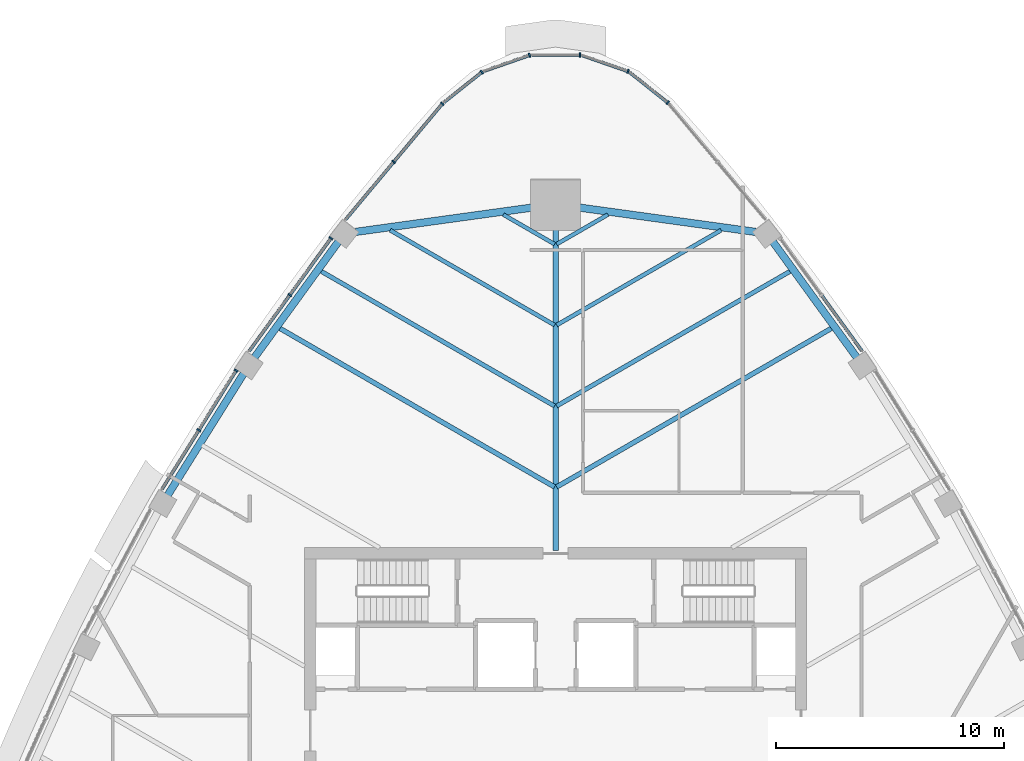
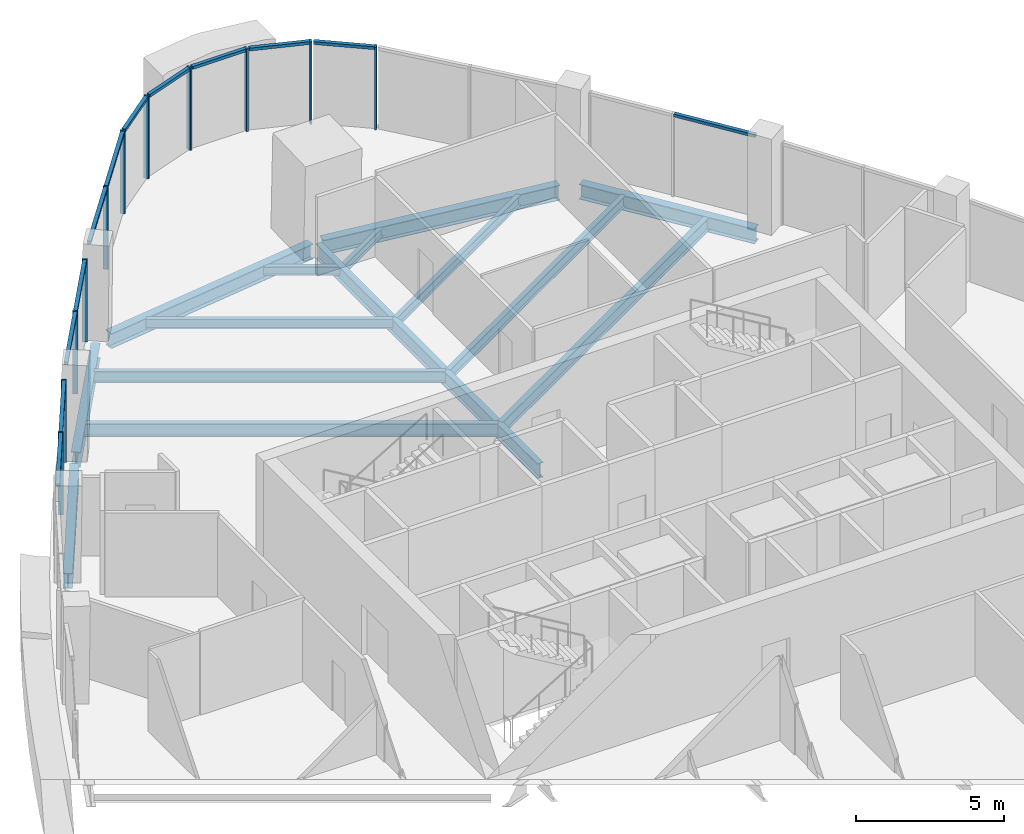
# One storey, part 5 of 15: 23 members, 14 beams, 9 elements without a shape of their own.
"""IFC4 building model written with IfcOpenShell, lengths in metres."""

import ifcopenshell
import ifcopenshell.guid

model = None  # the IFC model being written
_history = None  # IfcOwnerHistory: only IFC2X3 demands one
_inside = {}  # id of a spatial element -> (the spatial element, [elements in it])
_under = {}  # id of a project, library or spatial element -> (it, [spatial elements below it])
_declared = {}  # id of a project -> (the project, [libraries it declares])
_typed = {}  # id of a type object -> (the type object, [elements of that type])
_made_of = {}  # id of a material, layer set ... -> (it, [elements and type objects made of it])


def new_model(schema):
    """Start an empty IFC model of exactly this schema.

    Asked for "IFC4X3", IfcOpenShell would pick the latest addendum, in which some entities
    have other attributes; the version numbers below select the first issue.
    IFC2X3 requires an IfcOwnerHistory on every rooted entity: one is made here for all.
    """
    global model, _history
    if schema == "IFC4X3":
        model = ifcopenshell.file(schema_version=(4, 3, 0, 0))
    else:
        model = ifcopenshell.file(schema=schema)
    _inside.clear()
    _under.clear()
    _declared.clear()
    _typed.clear()
    _made_of.clear()
    _history = None
    if model.schema == "IFC2X3":
        org = make("IfcOrganization", Name="unknown")
        user = make(
            "IfcPersonAndOrganization",
            ThePerson=make("IfcPerson", FamilyName="unknown"),
            TheOrganization=org,
        )
        app = make(
            "IfcApplication",
            ApplicationDeveloper=org,
            Version="unknown",
            ApplicationFullName="unknown",
            ApplicationIdentifier="unknown",
        )
        _history = make(
            "IfcOwnerHistory",
            OwningUser=user,
            OwningApplication=app,
            ChangeAction="ADDED",
            CreationDate=0,
        )
    return model


def make(cls, **values):
    """One entity of the class cls with the attributes given. An attribute that is None is left unset."""
    return model.create_entity(
        cls, **{name: value for name, value in values.items() if value is not None}
    )


def rooted(cls, **values):
    """An entity with a GlobalId (a new one), such as an element, a storey or a relation."""
    return make(cls, GlobalId=ifcopenshell.guid.new(), OwnerHistory=_history, **values)


def si_unit(unit_type, name, prefix=None):
    """IfcSIUnit, for example si_unit("LENGTHUNIT", "METRE", prefix="MILLI")."""
    return make("IfcSIUnit", UnitType=unit_type, Prefix=prefix, Name=name)


def assignment(units):
    """IfcUnitAssignment: the units of a project."""
    return None if units is None else make("IfcUnitAssignment", Units=units)


def point(xyz):
    """IfcCartesianPoint."""
    return None if xyz is None else make("IfcCartesianPoint", Coordinates=xyz)


def direction(xyz):
    """IfcDirection."""
    return None if xyz is None else make("IfcDirection", DirectionRatios=xyz)


def frame(location, z_axis=None, x_axis=None):
    """IfcAxis2Placement3D, a coordinate frame: its origin and axes. An axis left out is left unset."""
    return make(
        "IfcAxis2Placement3D",
        Location=point(location),
        Axis=direction(z_axis),
        RefDirection=direction(x_axis),
    )


def frame_2d(location, x_axis=None):
    """IfcAxis2Placement2D, a coordinate frame in the plane: its origin and x axis."""
    return make(
        "IfcAxis2Placement2D", Location=point(location), RefDirection=direction(x_axis)
    )


def origin():
    """The frame at (0, 0, 0) with its axes left unset."""
    return frame((0.0, 0.0, 0.0))


def origin_2d():
    """The frame at (0, 0) in the plane with its x axis left unset."""
    return frame_2d((0.0, 0.0))


def place(relative_to, where):
    """IfcLocalPlacement: puts the frame where relative to a parent placement (None: the world)."""
    return make(
        "IfcLocalPlacement", PlacementRelTo=relative_to, RelativePlacement=where
    )


def context(
    kind, dimensions, precision=None, world=None, true_north=None, identifier=None
):
    """IfcGeometricRepresentationContext, for example the 3D "Model" context."""
    return make(
        "IfcGeometricRepresentationContext",
        ContextIdentifier=identifier,
        ContextType=kind,
        CoordinateSpaceDimension=dimensions,
        Precision=precision,
        WorldCoordinateSystem=world,
        TrueNorth=true_north,
    )


def subcontext(parent, identifier, kind, view, scale=None):
    """IfcGeometricRepresentationSubContext, for example "Body" below "Model"."""
    return make(
        "IfcGeometricRepresentationSubContext",
        ContextIdentifier=identifier,
        ContextType=kind,
        ParentContext=parent,
        TargetScale=scale,
        TargetView=view,
    )


def project(units=None, contexts=None):
    """IfcProject with its units and contexts."""
    return rooted(
        "IfcProject",
        Name="project",
        RepresentationContexts=contexts,
        UnitsInContext=assignment(units),
    )


def spatial(cls, under=None, at=None, **own):
    """A site, building, storey or space (cls), placed at a placement, below another one or the project."""
    s = rooted(cls, ObjectPlacement=at, **own)
    if under is not None:
        _under.setdefault(under.id(), (under, []))[1].append(s)
    return s


def profile(cls, at=None, kind="AREA", **sizes):
    """A parametric profile (cls). Its sizes go by their IFC names, for example OverallWidth=200.0."""
    return make(cls, ProfileType=kind, Position=at, **sizes)


def rectangle(**sizes):
    """IfcRectangleProfileDef."""
    return profile("IfcRectangleProfileDef", **sizes)


def i_section(**sizes):
    """IfcIShapeProfileDef."""
    return profile("IfcIShapeProfileDef", **sizes)


def extrude(swept, where, along, depth):
    """IfcExtrudedAreaSolid: the profile swept, set in the frame where, extruded along a direction by depth."""
    return make(
        "IfcExtrudedAreaSolid",
        SweptArea=swept,
        Position=where,
        ExtrudedDirection=direction(along),
        Depth=depth,
    )


def shape(context_of_items, identifier, shape_type, items):
    """IfcShapeRepresentation: the items that make up one representation, for example the "Body"."""
    return make(
        "IfcShapeRepresentation",
        ContextOfItems=context_of_items,
        RepresentationIdentifier=identifier,
        RepresentationType=shape_type,
        Items=items,
    )


def material(Name=None, Category=None):
    """IfcMaterial."""
    return make("IfcMaterial", Name=Name, Category=Category)


def layer(
    of_material, thickness, ventilated=None, Name=None, Category=None, Priority=None
):
    """IfcMaterialLayer: one layer of a wall or slab, of a material (None: an air gap)."""
    return make(
        "IfcMaterialLayer",
        Material=of_material,
        LayerThickness=thickness,
        IsVentilated=ventilated,
        Name=Name,
        Category=Category,
        Priority=Priority,
    )


def layer_set(layers, Name=None):
    """IfcMaterialLayerSet."""
    return make("IfcMaterialLayerSet", MaterialLayers=layers, LayerSetName=Name)


def material_profile(
    of_material, cross_section, Name=None, Category=None, Priority=None
):
    """IfcMaterialProfile: a cross section and its material."""
    return make(
        "IfcMaterialProfile",
        Name=Name,
        Material=of_material,
        Profile=cross_section,
        Priority=Priority,
        Category=Category,
    )


def profile_set(profiles, Name=None, composite=None):
    """IfcMaterialProfileSet."""
    return make(
        "IfcMaterialProfileSet",
        Name=Name,
        MaterialProfiles=profiles,
        CompositeProfile=composite,
    )


def made_of(thing, what):
    """Note that an element or type object is made of a material, layer set ...; save() writes the relation."""
    if what is not None:
        _made_of.setdefault(what.id(), (what, []))[1].append(thing)
    return thing


def type_object(cls, material=None, **own):
    """A type object (cls), such as IfcWallType, which elements share."""
    return made_of(rooted(cls, **own), material)


def element(
    cls,
    number,
    at=None,
    inside=None,
    cuts=None,
    type_object=None,
    material=None,
    context=None,
    identifier="Body",
    shape_type=None,
    held_by="IfcProductDefinitionShape",
    body=None,
    shapes=None,
    **own,
):
    """One element of the class cls, such as IfcWall. Its Tag is "e" and its number.

    at: its placement. inside: the storey or other place that contains it. cuts: it is an
    opening in that element (IfcRelVoidsElement). A single representation is given by context,
    identifier, shape_type and body (its items); several are given by shapes. held_by: the class
    of the entity that holds the representations. save() writes the other relations.
    """
    e = rooted(cls, Tag="e%d" % number, ObjectPlacement=at, **own)
    if body is not None:
        shapes = [shape(context, identifier, shape_type, body)]
    if shapes is not None:
        e.Representation = make(held_by, Representations=shapes)
    if inside is not None:
        _inside.setdefault(inside.id(), (inside, []))[1].append(e)
    if cuts is not None:
        rooted(
            "IfcRelVoidsElement", RelatingBuildingElement=cuts, RelatedOpeningElement=e
        )
    if type_object is not None:
        _typed.setdefault(type_object.id(), (type_object, []))[1].append(e)
    return made_of(e, material)


def aggregate(whole, parts):
    """IfcRelAggregates: a whole, such as a stair, and the parts it consists of."""
    return rooted("IfcRelAggregates", RelatingObject=whole, RelatedObjects=parts)


def save(model, path):
    """Write the relations noted so far, then the file.

    IfcRelAggregates (storeys below a building ...), IfcRelContainedInSpatialStructure (elements
    in a storey), IfcRelDefinesByType, IfcRelAssociatesMaterial and IfcRelDeclares: one each for
    every whole, place, type object, material and project.
    """
    for whole, parts in _under.values():
        aggregate(whole, parts)
    for where, things in _inside.values():
        rooted(
            "IfcRelContainedInSpatialStructure",
            RelatedElements=things,
            RelatingStructure=where,
        )
    for kind, things in _typed.values():
        rooted("IfcRelDefinesByType", RelatedObjects=things, RelatingType=kind)
    for what, things in _made_of.values():
        rooted("IfcRelAssociatesMaterial", RelatedObjects=things, RelatingMaterial=what)
    for by, libraries in _declared.values():
        rooted("IfcRelDeclares", RelatingContext=by, RelatedDefinitions=libraries)
    model.write(path)


model = new_model("IFC4")

# Units and contexts
model_context = context("Model", 3, precision=1e-05, world=origin(), true_north=direction((0.0, 1.0)))
body_context = subcontext(model_context, "Body", "Model", "MODEL_VIEW")
ifc_project = project(units=[si_unit("LENGTHUNIT", "METRE"), si_unit("AREAUNIT", "SQUARE_METRE"), si_unit("VOLUMEUNIT", "CUBIC_METRE"), si_unit("PLANEANGLEUNIT", "RADIAN"), si_unit("MASSUNIT", "GRAM", prefix="KILO")], contexts=[model_context])

# Site, building, storey
site_placement = place(None, origin())
site = spatial("IfcSite", under=ifc_project, at=site_placement, CompositionType="ELEMENT")
building_placement = place(site_placement, origin())
building = spatial("IfcBuilding", under=site, at=building_placement, Name="Sierra Prisma Convention Tower", CompositionType="ELEMENT")
storey_placement = place(building_placement, frame((0.0, 0.0, 315.0)))
storey = spatial("IfcBuildingStorey", under=building, at=storey_placement, Name="L72", CompositionType="ELEMENT", Elevation=315.0)

# Curtain wall, member
ifc_material_1 = material(Name="Aluminium and glass curtain wall", Category="aluminium")
ifc_layer = layer(ifc_material_1, 0.179931640625)
ifc_layer_set = layer_set([ifc_layer], Name="CW-1 Plain shaft curtain wall")
curtain_wall_type = type_object("IfcCurtainWallType", Name="CW-1 Plain shaft curtain wall", PredefinedType="NOTDEFINED", material=ifc_layer_set)
curtain_wall_1_placement = place(storey_placement, origin())
curtain_wall_1 = element("IfcCurtainWall", 1, at=curtain_wall_1_placement, inside=storey, type_object=curtain_wall_type, Name="CW-1 N1 L72", PredefinedType="NOTDEFINED")
ifc_material_2 = material(Name="Aluminium 6063-T6 bronze anodised", Category="aluminium")
ifc_material_profile_1 = material_profile(ifc_material_2, rectangle(XDim=0.179931640625, YDim=0.070068359375, at=origin_2d()), Name="ALU MULLION 70x180")
ifc_profile_set_1 = profile_set([ifc_material_profile_1], Name="Aluminium 6063-T6 bronze anodised")
member_type_1 = type_object("IfcMemberType", Name="CW mullion bronze", PredefinedType="MULLION", material=ifc_profile_set_1)
member_1_placement = place(storey_placement, frame((4.913818359375, 27.494873046875, 0.0), z_axis=(0.0, 0.0, 1.0), x_axis=(-0.622534258106, -0.78259254883, 0.0)))
member_1 = element("IfcMember", 2, at=member_1_placement, type_object=member_type_1, Name="CW-1 mullion N1.1", PredefinedType="MULLION", context=body_context, shape_type="SweptSolid", body=[
    extrude(rectangle(XDim=0.179931640625, YDim=0.070068359375, at=origin_2d()), origin(), (0.0, 0.0, 1.0), 3.39990234375),
])

curtain_wall_2_placement = place(storey_placement, origin())
curtain_wall_2 = element("IfcCurtainWall", 3, at=curtain_wall_2_placement, inside=storey, type_object=curtain_wall_type, Name="CW-1 N2 L72", PredefinedType="NOTDEFINED")
member_2_placement = place(storey_placement, frame((3.17138671875, 28.8662109375, 0.0), z_axis=(0.0, 0.0, 1.0), x_axis=(-0.329702480405, -0.944084887293, 0.0)))
member_2 = element("IfcMember", 4, at=member_2_placement, type_object=member_type_1, Name="CW-1 mullion N2.1", PredefinedType="MULLION", context=body_context, shape_type="SweptSolid", body=[
    extrude(rectangle(XDim=0.179931640625, YDim=0.070068359375, at=origin_2d()), origin(), (0.0, 0.0, 1.0), 3.39990234375),
])

curtain_wall_3_placement = place(storey_placement, origin())
curtain_wall_3 = element("IfcCurtainWall", 5, at=curtain_wall_3_placement, inside=storey, type_object=curtain_wall_type, Name="CW-1 N3 L72", PredefinedType="NOTDEFINED")
member_3_placement = place(storey_placement, frame((1.074462890625, 29.586181640625, 0.0), z_axis=(0.0, 0.0, 1.0), x_axis=(0.0, -1.0, 0.0)))
member_3 = element("IfcMember", 6, at=member_3_placement, type_object=member_type_1, Name="CW-1 mullion N3.1", PredefinedType="MULLION", context=body_context, shape_type="SweptSolid", body=[
    extrude(rectangle(XDim=0.179931640625, YDim=0.070068359375, at=origin_2d()), origin(), (0.0, 0.0, 1.0), 3.39990234375),
])

curtain_wall_4_placement = place(storey_placement, origin())
curtain_wall_4 = element("IfcCurtainWall", 7, at=curtain_wall_4_placement, inside=storey, type_object=curtain_wall_type, Name="CW-1 N4 L72", PredefinedType="NOTDEFINED")
member_4_placement = place(storey_placement, frame((-1.142578125, 29.57470703125, 0.0), z_axis=(0.0, 0.0, 1.0), x_axis=(0.329702480405, -0.944084887293, 0.0)))
member_4 = element("IfcMember", 8, at=member_4_placement, type_object=member_type_1, Name="CW-1 mullion N4.1", PredefinedType="MULLION", context=body_context, shape_type="SweptSolid", body=[
    extrude(rectangle(XDim=0.179931640625, YDim=0.070068359375, at=origin_2d()), origin(), (0.0, 0.0, 1.0), 3.39990234375),
])

curtain_wall_5_placement = place(storey_placement, origin())
curtain_wall_5 = element("IfcCurtainWall", 9, at=curtain_wall_5_placement, inside=storey, type_object=curtain_wall_type, Name="CW-1 N5 L72", PredefinedType="NOTDEFINED")
member_5_placement = place(storey_placement, frame((-3.23193359375, 28.832763671875, 0.0), z_axis=(0.0, 0.0, 1.0), x_axis=(0.622534258106, -0.78259254883, 0.0)))
member_5 = element("IfcMember", 10, at=member_5_placement, type_object=member_type_1, Name="CW-1 mullion N5.1", PredefinedType="MULLION", context=body_context, shape_type="SweptSolid", body=[
    extrude(rectangle(XDim=0.179931640625, YDim=0.070068359375, at=origin_2d()), origin(), (0.0, 0.0, 1.0), 3.39990234375),
])

# Curtain wall, members
curtain_wall_6_placement = place(storey_placement, origin())
curtain_wall_6 = element("IfcCurtainWall", 11, at=curtain_wall_6_placement, inside=storey, type_object=curtain_wall_type, Name="CW-1 NW1 L72", PredefinedType="NOTDEFINED")
member_6_placement = place(storey_placement, frame((-4.963623046875, 27.4462890625, 0.0), z_axis=(0.0, 0.0, 1.0), x_axis=(0.767228548224, -0.641373802701, 0.0)))
member_6 = element("IfcMember", 12, at=member_6_placement, type_object=member_type_1, Name="CW-1 mullion NW1.1", PredefinedType="MULLION", context=body_context, shape_type="SweptSolid", body=[
    extrude(rectangle(XDim=0.179931640625, YDim=0.070068359375, at=origin_2d()), origin(), (0.0, 0.0, 1.0), 3.39990234375),
])
member_7_placement = place(storey_placement, frame((-7.092041015625, 24.900146484375, 0.0), z_axis=(0.0, 0.0, 1.0), x_axis=(0.767228548224, -0.641373802701, 0.0)))
member_7 = element("IfcMember", 13, at=member_7_placement, type_object=member_type_1, Name="CW-1 mullion NW1.2", PredefinedType="MULLION", context=body_context, shape_type="SweptSolid", body=[
    extrude(rectangle(XDim=0.179931640625, YDim=0.070068359375, at=origin_2d()), origin(), (0.0, 0.0, 1.0), 3.39990234375),
])

curtain_wall_7_placement = place(storey_placement, origin())
curtain_wall_7 = element("IfcCurtainWall", 14, at=curtain_wall_7_placement, inside=storey, type_object=curtain_wall_type, Name="CW-1 NW2 L72", PredefinedType="NOTDEFINED")
member_8_placement = place(storey_placement, frame((-9.841552734375, 21.55419921875, 0.0), z_axis=(0.0, 0.0, 1.0), x_axis=(0.809666883879, -0.58688971464, 0.0)))
member_8 = element("IfcMember", 15, at=member_8_placement, type_object=member_type_1, Name="CW-1 mullion NW2.1", PredefinedType="MULLION", context=body_context, shape_type="SweptSolid", body=[
    extrude(rectangle(XDim=0.179931640625, YDim=0.070068359375, at=origin_2d()), origin(), (0.0, 0.0, 1.0), 3.39990234375),
])
member_9_placement = place(storey_placement, frame((-11.644287109375, 19.067138671875, 0.0), z_axis=(0.0, 0.0, 1.0), x_axis=(0.809666883879, -0.58688971464, 0.0)))
member_9 = element("IfcMember", 16, at=member_9_placement, type_object=member_type_1, Name="CW-1 mullion NW2.2", PredefinedType="MULLION", context=body_context, shape_type="SweptSolid", body=[
    extrude(rectangle(XDim=0.179931640625, YDim=0.070068359375, at=origin_2d()), origin(), (0.0, 0.0, 1.0), 3.39990234375),
])

curtain_wall_8_placement = place(storey_placement, origin())
curtain_wall_8 = element("IfcCurtainWall", 17, at=curtain_wall_8_placement, inside=storey, type_object=curtain_wall_type, Name="CW-1 NW3 L72", PredefinedType="NOTDEFINED")
member_10_placement = place(storey_placement, frame((-13.994873046875, 15.765625, 0.0), z_axis=(0.0, 0.0, 1.0), x_axis=(0.848243490511, -0.529606439543, 0.0)))
member_10 = element("IfcMember", 18, at=member_10_placement, type_object=member_type_1, Name="CW-1 mullion NW3.1", PredefinedType="MULLION", context=body_context, shape_type="SweptSolid", body=[
    extrude(rectangle(XDim=0.179931640625, YDim=0.070068359375, at=origin_2d()), origin(), (0.0, 0.0, 1.0), 3.39990234375),
])
member_11_placement = place(storey_placement, frame((-15.630126953125, 13.146728515625, 0.0), z_axis=(0.0, 0.0, 1.0), x_axis=(0.848243490511, -0.529606439543, 0.0)))
member_11 = element("IfcMember", 19, at=member_11_placement, type_object=member_type_1, Name="CW-1 mullion NW3.2", PredefinedType="MULLION", context=body_context, shape_type="SweptSolid", body=[
    extrude(rectangle(XDim=0.179931640625, YDim=0.070068359375, at=origin_2d()), origin(), (0.0, 0.0, 1.0), 3.39990234375),
])

# Curtain wall, member
curtain_wall_9_placement = place(storey_placement, origin())
curtain_wall_9 = element("IfcCurtainWall", 20, at=curtain_wall_9_placement, inside=storey, type_object=curtain_wall_type, Name="CW-1 NE5 L72", PredefinedType="NOTDEFINED")
ifc_material_3 = material(Name="Aluminium 6063-T6 bronze anodised", Category="aluminium")
ifc_material_profile_2 = material_profile(ifc_material_3, rectangle(XDim=0.139892578125, YDim=0.1201171875, at=origin_2d()), Name="ALU TRANSOM 120x140")
ifc_profile_set_2 = profile_set([ifc_material_profile_2], Name="Aluminium 6063-T6 bronze anodised")
member_type_2 = type_object("IfcMemberType", Name="CW transom bronze", PredefinedType="USERDEFINED", material=ifc_profile_set_2)
member_12_placement = place(storey_placement, frame((13.426513671875, 16.6083984375, 3.340087890625), z_axis=(-0.586923599139, 0.809642321506, 0.0), x_axis=(-0.809642321506, -0.586923599139, 0.0)))
member_12 = element("IfcMember", 21, at=member_12_placement, type_object=member_type_2, Name="CW-1 transom NE5.1", ObjectType="TRANSOM", PredefinedType="USERDEFINED", context=body_context, shape_type="SweptSolid", body=[
    extrude(rectangle(XDim=0.139892578125, YDim=0.1201171875, at=origin_2d()), origin(), (0.0, 0.0, 1.0), 3.00244140625),
])
aggregate(curtain_wall_9, [member_12])

# Member
member_13_placement = place(storey_placement, frame((4.88623046875, 27.5166015625, 3.340087890625), z_axis=(-0.782538640041, 0.622602021233, 0.0), x_axis=(-0.622602021233, -0.782538640041, 0.0)))
member_13 = element("IfcMember", 22, at=member_13_placement, type_object=member_type_2, Name="CW-1 transom N1.1", ObjectType="TRANSOM", PredefinedType="USERDEFINED", context=body_context, shape_type="SweptSolid", body=[
    extrude(rectangle(XDim=0.139892578125, YDim=0.1201171875, at=origin_2d()), origin(), (0.0, 0.0, 1.0), 2.0791015625),
])

aggregate(curtain_wall_1, [member_1, member_13])

member_14_placement = place(storey_placement, frame((3.138427734375, 28.877685546875, 3.340087890625), z_axis=(-0.944114372113, 0.329618040115, 0.0), x_axis=(-0.329618040115, -0.944114372113, 0.0)))
member_14 = element("IfcMember", 23, at=member_14_placement, type_object=member_type_2, Name="CW-1 transom N2.1", ObjectType="TRANSOM", PredefinedType="USERDEFINED", context=body_context, shape_type="SweptSolid", body=[
    extrude(rectangle(XDim=0.139892578125, YDim=0.1201171875, at=origin_2d()), origin(), (0.0, 0.0, 1.0), 2.0791015625),
])

aggregate(curtain_wall_2, [member_2, member_14])

member_15_placement = place(storey_placement, frame((1.03955078125, 29.586181640625, 3.340087890625), z_axis=(-1.0, 0.0, 0.0), x_axis=(0.0, -1.0, 0.0)))
member_15 = element("IfcMember", 24, at=member_15_placement, type_object=member_type_2, Name="CW-1 transom N3.1", ObjectType="TRANSOM", PredefinedType="USERDEFINED", context=body_context, shape_type="SweptSolid", body=[
    extrude(rectangle(XDim=0.139892578125, YDim=0.1201171875, at=origin_2d()), origin(), (0.0, 0.0, 1.0), 2.0791015625),
])

aggregate(curtain_wall_3, [member_3, member_15])

member_16_placement = place(storey_placement, frame((-1.175537109375, 29.56298828125, 3.340087890625), z_axis=(-0.944114372113, -0.329618040115, 0.0), x_axis=(0.329618040115, -0.944114372113, 0.0)))
member_16 = element("IfcMember", 25, at=member_16_placement, type_object=member_type_2, Name="CW-1 transom N4.1", ObjectType="TRANSOM", PredefinedType="USERDEFINED", context=body_context, shape_type="SweptSolid", body=[
    extrude(rectangle(XDim=0.139892578125, YDim=0.1201171875, at=origin_2d()), origin(), (0.0, 0.0, 1.0), 2.0791015625),
])

aggregate(curtain_wall_4, [member_4, member_16])

member_17_placement = place(storey_placement, frame((-3.25927734375, 28.81103515625, 3.340087890625), z_axis=(-0.782538640041, -0.622602021233, 0.0), x_axis=(0.622602021233, -0.782538640041, 0.0)))
member_17 = element("IfcMember", 26, at=member_17_placement, type_object=member_type_2, Name="CW-1 transom N5.1", ObjectType="TRANSOM", PredefinedType="USERDEFINED", context=body_context, shape_type="SweptSolid", body=[
    extrude(rectangle(XDim=0.139892578125, YDim=0.1201171875, at=origin_2d()), origin(), (0.0, 0.0, 1.0), 2.0791015625),
])

aggregate(curtain_wall_5, [member_5, member_17])

member_18_placement = place(storey_placement, frame((-4.986083984375, 27.41943359375, 3.340087890625), z_axis=(-0.64135900008, -0.767240922407, 0.0), x_axis=(0.767240922407, -0.64135900008, 0.0)))
member_18 = element("IfcMember", 27, at=member_18_placement, type_object=member_type_2, Name="CW-1 transom NW1.1", ObjectType="TRANSOM", PredefinedType="USERDEFINED", context=body_context, shape_type="SweptSolid", body=[
    extrude(rectangle(XDim=0.139892578125, YDim=0.1201171875, at=origin_2d()), origin(), (0.0, 0.0, 1.0), 3.24853515625),
])

member_19_placement = place(storey_placement, frame((-7.114501953125, 24.873291015625, 3.340087890625), z_axis=(-0.641395982711, -0.767210006036, 0.0), x_axis=(0.767210006036, -0.641395982711, 0.0)))
member_19 = element("IfcMember", 28, at=member_19_placement, type_object=member_type_2, Name="CW-1 transom NW1.2", ObjectType="TRANSOM", PredefinedType="USERDEFINED", context=body_context, shape_type="SweptSolid", body=[
    extrude(rectangle(XDim=0.139892578125, YDim=0.1201171875, at=origin_2d()), origin(), (0.0, 0.0, 1.0), 3.248291015625),
])

aggregate(curtain_wall_6, [member_6, member_7, member_18, member_19])

member_20_placement = place(storey_placement, frame((-9.8623046875, 21.525634765625, 3.340087890625), z_axis=(-0.586879595113, -0.809674218955, 0.0), x_axis=(0.809674218955, -0.586879595113, 0.0)))
member_20 = element("IfcMember", 29, at=member_20_placement, type_object=member_type_2, Name="CW-1 transom NW2.1", ObjectType="TRANSOM", PredefinedType="USERDEFINED", context=body_context, shape_type="SweptSolid", body=[
    extrude(rectangle(XDim=0.139892578125, YDim=0.1201171875, at=origin_2d()), origin(), (0.0, 0.0, 1.0), 3.00146484375),
])

member_21_placement = place(storey_placement, frame((-11.6650390625, 19.038818359375, 3.340087890625), z_axis=(-0.586840944988, -0.809702232482, 0.0), x_axis=(0.809702232482, -0.586840944988, 0.0)))
member_21 = element("IfcMember", 30, at=member_21_placement, type_object=member_type_2, Name="CW-1 transom NW2.2", ObjectType="TRANSOM", PredefinedType="USERDEFINED", context=body_context, shape_type="SweptSolid", body=[
    extrude(rectangle(XDim=0.139892578125, YDim=0.1201171875, at=origin_2d()), origin(), (0.0, 0.0, 1.0), 3.001708984375),
])

aggregate(curtain_wall_7, [member_8, member_9, member_20, member_21])

member_22_placement = place(storey_placement, frame((-14.013427734375, 15.736083984375, 3.340087890625), z_axis=(-0.529620712762, -0.848234578765, 0.0), x_axis=(0.848234578765, -0.529620712762, 0.0)))
member_22 = element("IfcMember", 31, at=member_22_placement, type_object=member_type_2, Name="CW-1 transom NW3.1", ObjectType="TRANSOM", PredefinedType="USERDEFINED", context=body_context, shape_type="SweptSolid", body=[
    extrude(rectangle(XDim=0.139892578125, YDim=0.1201171875, at=origin_2d()), origin(), (0.0, 0.0, 1.0), 3.017578125),
])

member_23_placement = place(storey_placement, frame((-15.648681640625, 13.1171875, 3.340087890625), z_axis=(-0.529620712762, -0.848234578765, 0.0), x_axis=(0.848234578765, -0.529620712762, 0.0)))
member_23 = element("IfcMember", 32, at=member_23_placement, type_object=member_type_2, Name="CW-1 transom NW3.2", ObjectType="TRANSOM", PredefinedType="USERDEFINED", context=body_context, shape_type="SweptSolid", body=[
    extrude(rectangle(XDim=0.139892578125, YDim=0.1201171875, at=origin_2d()), origin(), (0.0, 0.0, 1.0), 3.017578125),
])

aggregate(curtain_wall_8, [member_10, member_11, member_22, member_23])

# Beams
ifc_material_4 = material(Name="Steel ASTM A992 Gr 50", Category="steel")
ifc_material_profile_3 = material_profile(ifc_material_4, i_section(OverallWidth=0.172119140625, OverallDepth=0.35791015625, WebThickness=0.0078125, FlangeThickness=0.01318359375, at=origin_2d()), Name="W360x57")
ifc_profile_set_3 = profile_set([ifc_material_profile_3], Name="Steel ASTM A992 Gr 50")
beam_type_1 = type_object("IfcBeamType", Name="Floor joist W360x57", PredefinedType="JOIST", material=ifc_profile_set_3)
for number, where, z_axis, x_axis, name in (
    (33, (2.2919921875, 22.594482421875, -0.3291015625), (-0.866050776098, -0.499956051289, 0.0), (0.499956051289, -0.866050776098, 0.0), "Floor joist L72 NE13"),
    (34, (-2.2919921875, 22.594482421875, -0.3291015625), (0.866050776098, -0.499956051289, 0.0), (0.499956051289, 0.866050776098, 0.0), "Floor joist L72 NW01"),
):
    element("IfcBeam", number, at=place(storey_placement, frame(where, z_axis=z_axis, x_axis=x_axis)), inside=storey, type_object=beam_type_1, Name=name, PredefinedType="JOIST", context=body_context, shape_type="SweptSolid", body=[
        extrude(i_section(OverallWidth=0.172119140625, OverallDepth=0.35791015625, WebThickness=0.0078125, FlangeThickness=0.01318359375, at=origin_2d()), origin(), (0.0, 0.0, 1.0), 2.593505859375),
    ])
ifc_material_5 = material(Name="Steel ASTM A992 Gr 50", Category="steel")
ifc_material_profile_4 = material_profile(ifc_material_5, i_section(OverallWidth=0.177978515625, OverallDepth=0.406982421875, WebThickness=0.0078125, FlangeThickness=0.0126953125, at=origin_2d()), Name="W410x60")
ifc_profile_set_4 = profile_set([ifc_material_profile_4], Name="Steel ASTM A992 Gr 50")
beam_type_2 = type_object("IfcBeamType", Name="Floor joist W410x60", PredefinedType="JOIST", material=ifc_profile_set_4)
for number, where, z_axis, x_axis, name in (
    (35, (7.248291015625, 21.910888671875, -0.353515625), (-0.86603061916, -0.499990966596, 0.0), (0.499990966596, -0.86603061916, 0.0), "Floor joist L72 NE12"),
    (36, (-7.248291015625, 21.910888671875, -0.353515625), (0.86603061916, -0.499990966596, 0.0), (0.499990966596, 0.86603061916, 0.0), "Floor joist L72 NW02"),
):
    element("IfcBeam", number, at=place(storey_placement, frame(where, z_axis=z_axis, x_axis=x_axis)), inside=storey, type_object=beam_type_2, Name=name, PredefinedType="JOIST", context=body_context, shape_type="SweptSolid", body=[
        extrude(i_section(OverallWidth=0.177978515625, OverallDepth=0.406982421875, WebThickness=0.0078125, FlangeThickness=0.0126953125, at=origin_2d()), origin(), (0.0, 0.0, 1.0), 8.316650390625),
    ])
ifc_material_6 = material(Name="Steel ASTM A992 Gr 50", Category="steel")
ifc_material_profile_5 = material_profile(ifc_material_6, i_section(OverallWidth=0.18994140625, OverallDepth=0.45703125, WebThickness=0.009033203125, FlangeThickness=0.014404296875, at=origin_2d()), Name="W460x74")
ifc_profile_set_5 = profile_set([ifc_material_profile_5], Name="Steel ASTM A992 Gr 50")
beam_type_3 = type_object("IfcBeamType", Name="Floor joist W460x74", PredefinedType="JOIST", material=ifc_profile_set_5)
for number, where, z_axis, x_axis, name in (
    (37, (10.302978515625, 20.12939453125, -0.37841796875), (-0.866027339428, -0.499996647351, 0.0), (0.499996647351, -0.866027339428, 0.0), "Floor joist L72 NE11"),
    (38, (-10.302978515625, 20.12939453125, -0.37841796875), (0.866027339428, -0.499996647351, 0.0), (0.499996647351, 0.866027339428, 0.0), "Floor joist L72 NW03"),
):
    element("IfcBeam", number, at=place(storey_placement, frame(where, z_axis=z_axis, x_axis=x_axis)), inside=storey, type_object=beam_type_3, Name=name, PredefinedType="JOIST", context=body_context, shape_type="SweptSolid", body=[
        extrude(i_section(OverallWidth=0.18994140625, OverallDepth=0.45703125, WebThickness=0.009033203125, FlangeThickness=0.014404296875, at=origin_2d()), origin(), (0.0, 0.0, 1.0), 11.84375),
    ])
ifc_material_7 = material(Name="Steel ASTM A992 Gr 50", Category="steel")
ifc_material_profile_6 = material_profile(ifc_material_7, i_section(OverallWidth=0.208984375, OverallDepth=0.532958984375, WebThickness=0.01025390625, FlangeThickness=0.015625, at=origin_2d()), Name="W530x92")
ifc_profile_set_6 = profile_set([ifc_material_profile_6], Name="Steel ASTM A992 Gr 50")
beam_type_4 = type_object("IfcBeamType", Name="Floor joist W530x92", PredefinedType="JOIST", material=ifc_profile_set_6)
for number, where, z_axis, x_axis, name in (
    (39, (12.11474609375, 17.630126953125, -0.41650390625), (-0.866023379925, -0.50000350541, 0.0), (0.50000350541, -0.866023379925, 0.0), "Floor joist L72 NE10"),
    (40, (-12.11474609375, 17.630126953125, -0.41650390625), (0.866023379925, -0.50000350541, 0.0), (0.50000350541, 0.866023379925, 0.0), "Floor joist L72 NW04"),
):
    element("IfcBeam", number, at=place(storey_placement, frame(where, z_axis=z_axis, x_axis=x_axis)), inside=storey, type_object=beam_type_4, Name=name, PredefinedType="JOIST", context=body_context, shape_type="SweptSolid", body=[
        extrude(i_section(OverallWidth=0.208984375, OverallDepth=0.532958984375, WebThickness=0.01025390625, FlangeThickness=0.015625, at=origin_2d()), origin(), (0.0, 0.0, 1.0), 13.93603515625),
    ])
ifc_material_8 = material(Name="Steel ASTM A992 Gr 50", Category="steel")
ifc_material_profile_7 = material_profile(ifc_material_8, i_section(OverallWidth=0.22998046875, OverallDepth=0.616943359375, WebThickness=0.01318359375, FlangeThickness=0.022216796875, at=origin_2d()), Name="W610x140")
ifc_profile_set_7 = profile_set([ifc_material_profile_7], Name="Steel ASTM A992 Gr 50")
beam_type_5 = type_object("IfcBeamType", Name="Radial girder W610x140", PredefinedType="BEAM", material=ifc_profile_set_7)
beam_1_placement = place(storey_placement, frame((0.0, 22.823974609375, -0.45849609375), z_axis=(0.0, -1.0, 0.0), x_axis=(1.0, 0.0, 0.0)))
element("IfcBeam", 41, at=beam_1_placement, inside=storey, type_object=beam_type_5, Name="Radial girder L72 N", PredefinedType="BEAM", context=body_context, shape_type="SweptSolid", body=[
    extrude(i_section(OverallWidth=0.22998046875, OverallDepth=0.616943359375, WebThickness=0.01318359375, FlangeThickness=0.022216796875, at=origin_2d()), origin(), (0.0, 0.0, 1.0), 14.944091796875),
])
ifc_material_9 = material(Name="Steel ASTM A992 Gr 50", Category="steel")
ifc_material_profile_8 = material_profile(ifc_material_9, i_section(OverallWidth=0.324951171875, OverallDepth=0.615966796875, WebThickness=0.013916015625, FlangeThickness=0.021484375, at=origin_2d()), Name="W610x174")
ifc_profile_set_8 = profile_set([ifc_material_profile_8], Name="Steel ASTM A992 Gr 50")
beam_type_6 = type_object("IfcBeamType", Name="Spandrel beam W610x174", PredefinedType="BEAM", material=ifc_profile_set_8)
beam_2_placement = place(storey_placement, frame((13.24755859375, 16.25927734375, -0.4580078125), z_axis=(-0.58688350058, 0.809671388124, 0.0), x_axis=(-0.809671388124, -0.58688350058, 0.0)))
element("IfcBeam", 42, at=beam_2_placement, inside=storey, type_object=beam_type_6, Name="Spandrel L72-11", PredefinedType="BEAM", context=body_context, shape_type="SweptSolid", body=[
    extrude(i_section(OverallWidth=0.324951171875, OverallDepth=0.615966796875, WebThickness=0.013916015625, FlangeThickness=0.021484375, at=origin_2d()), origin(), (0.0, 0.0, 1.0), 6.47216796875),
])
for number, where, z_axis, x_axis, name in (
    (43, (8.751953125, 21.83642578125, -0.4580078125), (-0.990618350638, 0.136657540516, 0.0), (-0.136657540516, -0.990618350638, 0.0), "Spandrel L72-12"),
    (44, (-0.219970703125, 23.013427734375, -0.4580078125), (-0.990618350638, -0.136657540516, 0.0), (0.136657540516, -0.990618350638, 0.0), "Spandrel L72-13"),
):
    element("IfcBeam", number, at=place(storey_placement, frame(where, z_axis=z_axis, x_axis=x_axis)), inside=storey, type_object=beam_type_6, Name=name, PredefinedType="BEAM", context=body_context, shape_type="SweptSolid", body=[
        extrude(i_section(OverallWidth=0.324951171875, OverallDepth=0.615966796875, WebThickness=0.013916015625, FlangeThickness=0.021484375, at=origin_2d()), origin(), (0.0, 0.0, 1.0), 8.61279296875),
    ])
beam_3_placement = place(storey_placement, frame((-9.44921875, 21.49951171875, -0.4580078125), z_axis=(-0.58688350058, -0.809671388124, 0.0), x_axis=(0.809671388124, -0.58688350058, 0.0)))
element("IfcBeam", 45, at=beam_3_placement, inside=storey, type_object=beam_type_6, Name="Spandrel L72-14", PredefinedType="BEAM", context=body_context, shape_type="SweptSolid", body=[
    extrude(i_section(OverallWidth=0.324951171875, OverallDepth=0.615966796875, WebThickness=0.013916015625, FlangeThickness=0.021484375, at=origin_2d()), origin(), (0.0, 0.0, 1.0), 6.47216796875),
])
beam_4_placement = place(storey_placement, frame((-13.616455078125, 15.711669921875, -0.4580078125), z_axis=(-0.529592009117, -0.848252500073, 0.0), x_axis=(0.848252500073, -0.529592009117, 0.0)))
element("IfcBeam", 46, at=beam_4_placement, inside=storey, type_object=beam_type_6, Name="Spandrel L72-15", PredefinedType="BEAM", context=body_context, shape_type="SweptSolid", body=[
    extrude(i_section(OverallWidth=0.324951171875, OverallDepth=0.615966796875, WebThickness=0.013916015625, FlangeThickness=0.021484375, at=origin_2d()), origin(), (0.0, 0.0, 1.0), 6.472412109375),
])

save(model, "model.ifc")
